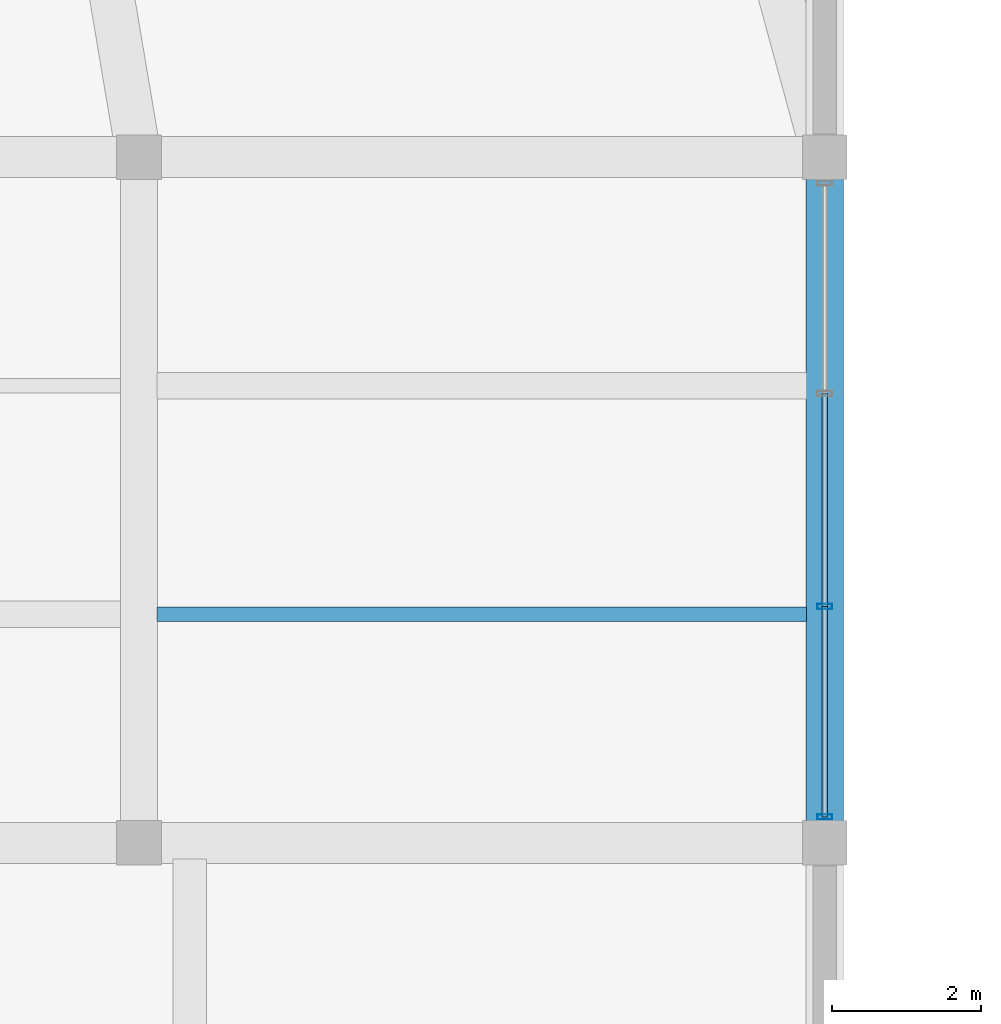
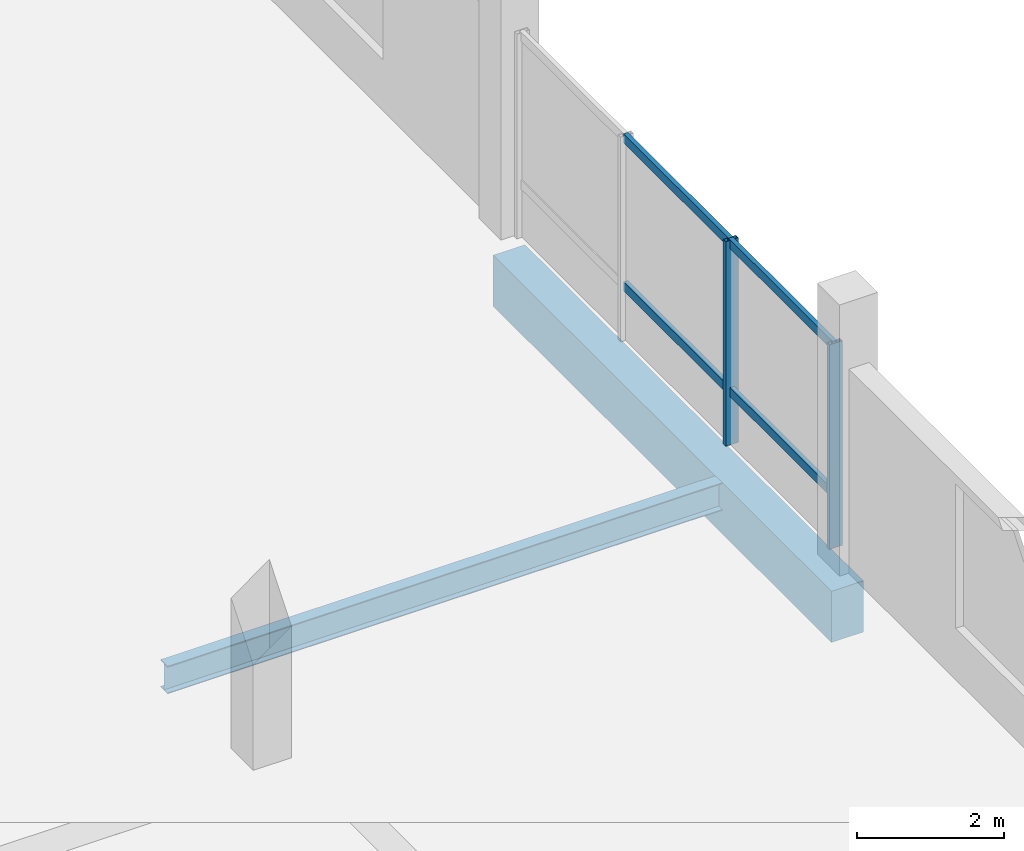
# One storey, part 32 of 77: 6 members, 2 beams, 1 element without a shape of its own.
"""IFC4 building model written with IfcOpenShell, lengths in metres."""

from ifc_helpers import new_model, si_unit, direction, frame, origin, origin_2d, place, context, subcontext, project, spatial, rectangle, hollow_rectangle, i_section, extrude, material, layer, layer_set, material_profile, profile_set, type_object, element, aggregate, save


model = new_model("IFC4")

# Units and contexts
model_context = context("Model", 3, precision=1e-05, world=origin(), true_north=direction((0.0, 1.0)))
body_context = subcontext(model_context, "Body", "Model", "MODEL_VIEW")
ifc_project = project(units=[si_unit("LENGTHUNIT", "METRE"), si_unit("AREAUNIT", "SQUARE_METRE"), si_unit("VOLUMEUNIT", "CUBIC_METRE"), si_unit("PLANEANGLEUNIT", "RADIAN"), si_unit("MASSUNIT", "GRAM", prefix="KILO")], contexts=[model_context])

# Site, building, storey
site_placement = place(None, origin())
site = spatial("IfcSite", under=ifc_project, at=site_placement, CompositionType="ELEMENT")
building_placement = place(site_placement, origin())
building = spatial("IfcBuilding", under=site, at=building_placement, Name="Meriwether Solvik Hall", CompositionType="ELEMENT")
storey_placement = place(building_placement, frame((0.0, 0.0, 9.89990234375)))
storey = spatial("IfcBuildingStorey", under=building, at=storey_placement, Name="L02", CompositionType="ELEMENT", Elevation=9.89990234375)

# Beams
ifc_material_1 = material(Name="Concrete C40/50", Category="concrete")
ifc_material_profile_1 = material_profile(ifc_material_1, rectangle(XDim=0.5, YDim=0.85009765625, at=origin_2d()), Name="RCB-500X850")
ifc_profile_set_1 = profile_set([ifc_material_profile_1], Name="Concrete C40/50")
beam_type_1 = type_object("IfcBeamType", Name="BM-RC-500X850", PredefinedType="BEAM", material=ifc_profile_set_1)
beam_1_placement = place(storey_placement, frame((114.199951171875, 32.0, -0.875), z_axis=(0.0, 1.0, 0.0), x_axis=(-1.0, 0.0, 0.0)))
element("IfcBeam", 1, at=beam_1_placement, inside=storey, type_object=beam_type_1, Name="Podium Girder 13:D-E (L02)", PredefinedType="BEAM", context=body_context, shape_type="SweptSolid", body=[
    extrude(rectangle(XDim=0.5, YDim=0.85009765625, at=origin_2d()), origin(), (0.0, 0.0, 1.0), 9.199951171875),
])
ifc_material_2 = material(Name="Steel A992 Grade 50", Category="steel")
ifc_material_profile_2 = material_profile(ifc_material_2, i_section(OverallWidth=0.19091796875, OverallDepth=0.45703125, WebThickness=0.009033203125, FlangeThickness=0.014404296875, at=origin_2d()), Name="W18X50")
ifc_profile_set_2 = profile_set([ifc_material_profile_2], Name="Steel A992 Grade 50")
beam_type_2 = type_object("IfcBeamType", Name="BM-STL-W18X50", PredefinedType="JOIST", material=ifc_profile_set_2)
beam_2_placement = place(storey_placement, frame((105.2451171875, 35.066650390625, -0.678466796875), z_axis=(1.0, 0.0, 0.0), x_axis=(0.0, 1.0, 0.0)))
element("IfcBeam", 2, at=beam_2_placement, inside=storey, type_object=beam_type_2, Name="Secondary Floor Joist 12/D_J1 (L02)", PredefinedType="JOIST", context=body_context, shape_type="SweptSolid", body=[
    extrude(i_section(OverallWidth=0.19091796875, OverallDepth=0.45703125, WebThickness=0.009033203125, FlangeThickness=0.014404296875, at=origin_2d()), origin(), (0.0, 0.0, 1.0), 8.7099609375),
])

# Curtain wall, members
ifc_material_3 = material(Name="Thermally Broken Anodised Aluminium 6063-T6 and Low-E Glass", Category="aluminium")
ifc_layer = layer(ifc_material_3, 0.179931640625)
ifc_layer_set = layer_set([ifc_layer], Name="Thermally Broken Anodised Aluminium 6063-T6 and Low-E Glass")
curtain_wall_type = type_object("IfcCurtainWallType", Name="CW-SF-POD-C", PredefinedType="USERDEFINED", material=ifc_layer_set)
curtain_wall_placement = place(storey_placement, origin())
curtain_wall = element("IfcCurtainWall", 3, at=curtain_wall_placement, inside=storey, type_object=curtain_wall_type, Name="Curtain Wall wing_Y13_4_40 (L02)", ObjectType="STICK STOREFRONT GLAZING", PredefinedType="USERDEFINED")
ifc_material_4 = material(Name="Anodised Aluminium 6063-T6", Category="aluminium")
ifc_material_profile_3 = material_profile(ifc_material_4, hollow_rectangle(XDim=0.070068359375, YDim=0.199951171875, WallThickness=0.0048828125, at=origin_2d()), Name="CWM-70X200")
ifc_profile_set_3 = profile_set([ifc_material_profile_3], Name="Anodised Aluminium 6063-T6")
member_type_1 = type_object("IfcMemberType", Name="CW-MUL-70X200", PredefinedType="MULLION", material=ifc_profile_set_3)
member_1_placement = place(storey_placement, frame((114.199951171875, 35.170654296875, 0.0), z_axis=(0.0, 0.0, 1.0), x_axis=(0.0, -1.0, 0.0)))
member_1 = element("IfcMember", 4, at=member_1_placement, type_object=member_type_1, Name="Curtain Wall Mullion 3", PredefinedType="MULLION", context=body_context, shape_type="SweptSolid", body=[
    extrude(hollow_rectangle(XDim=0.070068359375, YDim=0.199951171875, WallThickness=0.0048828125, at=origin_2d()), origin(), (0.0, 0.0, 1.0), 3.39501953125),
])
member_2_placement = place(storey_placement, frame((114.199951171875, 32.35009765625, 0.0), z_axis=(0.0, 0.0, 1.0), x_axis=(0.0, -1.0, 0.0)))
member_2 = element("IfcMember", 5, at=member_2_placement, type_object=member_type_1, Name="Curtain Wall Mullion 4", PredefinedType="MULLION", context=body_context, shape_type="SweptSolid", body=[
    extrude(hollow_rectangle(XDim=0.070068359375, YDim=0.199951171875, WallThickness=0.0048828125, at=origin_2d()), origin(), (0.0, 0.0, 1.0), 3.39501953125),
])
ifc_material_5 = material(Name="Anodised Aluminium 6063-T6", Category="aluminium")
ifc_material_profile_4 = material_profile(ifc_material_5, hollow_rectangle(XDim=0.070068359375, YDim=0.14990234375, WallThickness=0.0048828125, at=origin_2d()), Name="CWT-70X150")
ifc_profile_set_4 = profile_set([ifc_material_profile_4], Name="Anodised Aluminium 6063-T6")
member_type_2 = type_object("IfcMemberType", Name="CW-TRN-70X150", PredefinedType="USERDEFINED", material=ifc_profile_set_4)
member_3_placement = place(storey_placement, frame((114.199951171875, 38.029296875, 0.880126953125), z_axis=(0.0, -1.0, 0.0), x_axis=(1.0, 0.0, 0.0)))
member_3 = element("IfcMember", 6, at=member_3_placement, type_object=member_type_2, Name="Curtain Wall Transom 2-sill", ObjectType="TRANSOM", PredefinedType="USERDEFINED", context=body_context, shape_type="SweptSolid", body=[
    extrude(hollow_rectangle(XDim=0.070068359375, YDim=0.14990234375, WallThickness=0.0048828125, at=origin_2d()), origin(), (0.0, 0.0, 1.0), 2.858642578125),
])
member_4_placement = place(storey_placement, frame((114.199951171875, 38.029296875, 3.335205078125), z_axis=(0.0, -1.0, 0.0), x_axis=(1.0, 0.0, 0.0)))
member_4 = element("IfcMember", 7, at=member_4_placement, type_object=member_type_2, Name="Curtain Wall Transom 2-head", ObjectType="TRANSOM", PredefinedType="USERDEFINED", context=body_context, shape_type="SweptSolid", body=[
    extrude(hollow_rectangle(XDim=0.070068359375, YDim=0.14990234375, WallThickness=0.0048828125, at=origin_2d()), origin(), (0.0, 0.0, 1.0), 2.858642578125),
])
member_5_placement = place(storey_placement, frame((114.199951171875, 35.170654296875, 0.880126953125), z_axis=(0.0, -1.0, 0.0), x_axis=(1.0, 0.0, 0.0)))
member_5 = element("IfcMember", 8, at=member_5_placement, type_object=member_type_2, Name="Curtain Wall Transom 3-sill", ObjectType="TRANSOM", PredefinedType="USERDEFINED", context=body_context, shape_type="SweptSolid", body=[
    extrude(hollow_rectangle(XDim=0.070068359375, YDim=0.14990234375, WallThickness=0.0048828125, at=origin_2d()), origin(), (0.0, 0.0, 1.0), 2.820556640625),
])
member_6_placement = place(storey_placement, frame((114.199951171875, 35.170654296875, 3.335205078125), z_axis=(0.0, -1.0, 0.0), x_axis=(1.0, 0.0, 0.0)))
member_6 = element("IfcMember", 9, at=member_6_placement, type_object=member_type_2, Name="Curtain Wall Transom 3-head", ObjectType="TRANSOM", PredefinedType="USERDEFINED", context=body_context, shape_type="SweptSolid", body=[
    extrude(hollow_rectangle(XDim=0.070068359375, YDim=0.14990234375, WallThickness=0.0048828125, at=origin_2d()), origin(), (0.0, 0.0, 1.0), 2.820556640625),
])
aggregate(curtain_wall, [member_1, member_2, member_3, member_4, member_5, member_6])

save(model, "model.ifc")
